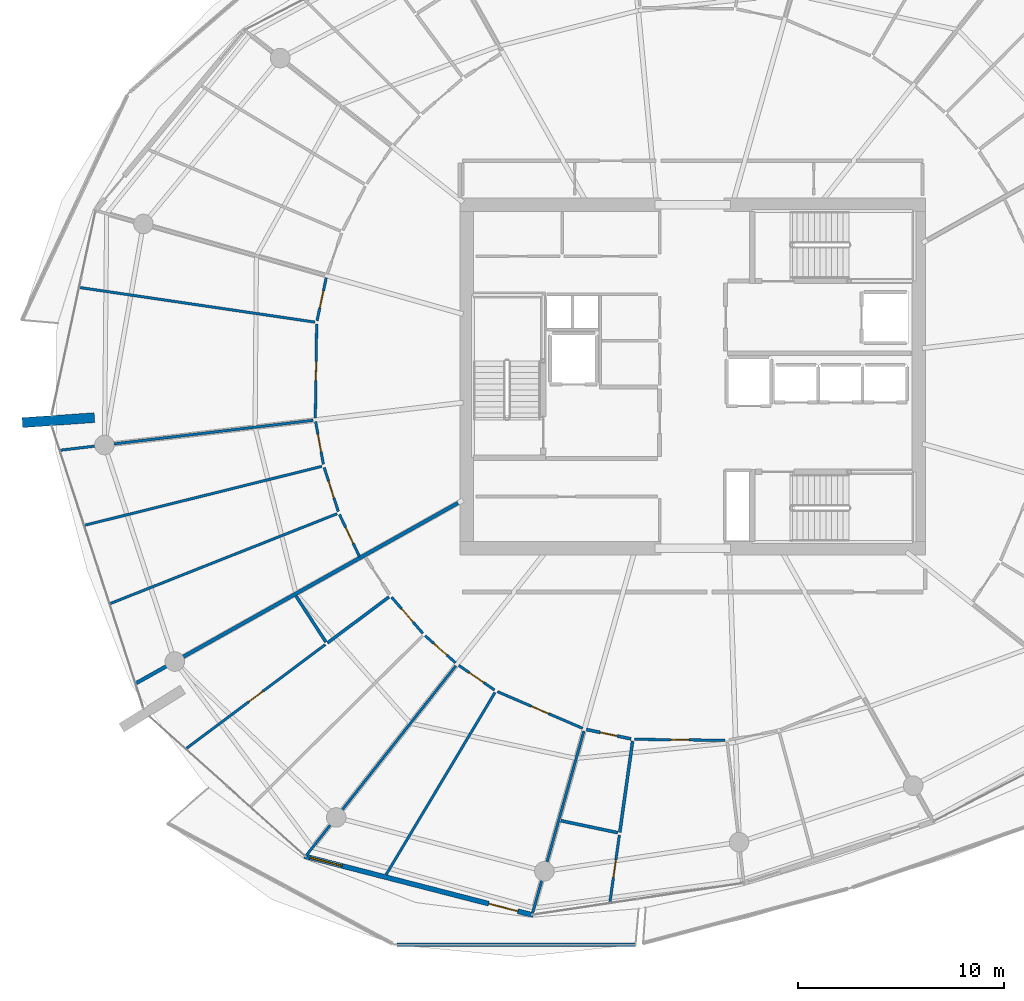
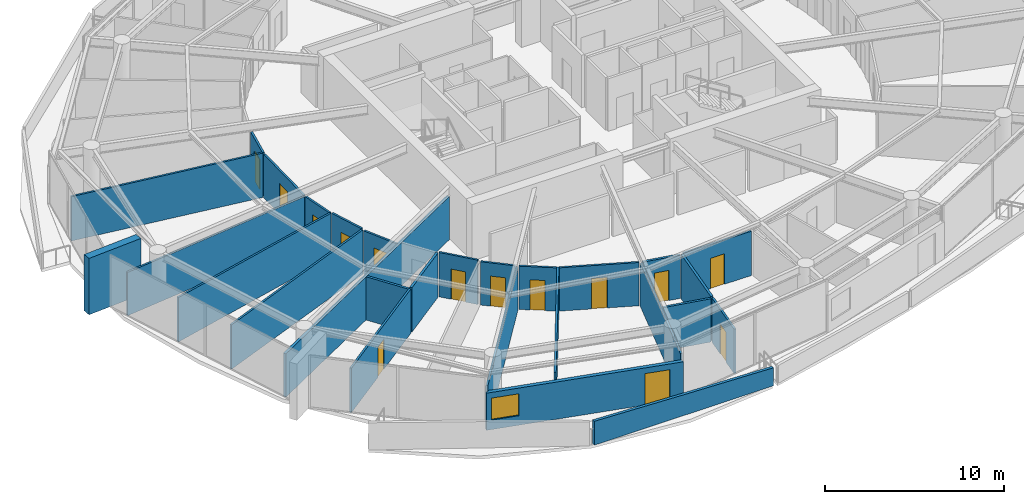
# One storey, part 18 of 31: 28 walls, 14 doors, 1 window, 15 openings.
"""IFC4 building model written with IfcOpenShell, lengths in metres."""

from ifc_helpers import new_model, si_unit, direction, frame, frame_2d, origin, place, context, subcontext, project, spatial, polyline, rectangle, outline, extrude, material, layer, layer_set, type_object, element, fill, save


model = new_model("IFC4")

# Units and contexts
model_context = context("Model", 3, precision=1e-05, world=origin(), true_north=direction((0.0, 1.0)))
body_context = subcontext(model_context, "Body", "Model", "MODEL_VIEW")
ifc_project = project(units=[si_unit("LENGTHUNIT", "METRE"), si_unit("AREAUNIT", "SQUARE_METRE"), si_unit("VOLUMEUNIT", "CUBIC_METRE"), si_unit("PLANEANGLEUNIT", "RADIAN"), si_unit("MASSUNIT", "GRAM", prefix="KILO")], contexts=[model_context])

# Site, building, storey
site_placement = place(None, origin())
site = spatial("IfcSite", under=ifc_project, at=site_placement, CompositionType="ELEMENT")
building_placement = place(site_placement, origin())
building = spatial("IfcBuilding", under=site, at=building_placement, Name="Kazma Halo Residences", CompositionType="ELEMENT")
storey_placement = place(building_placement, frame((0.0, 0.0, 248.25)))
storey = spatial("IfcBuildingStorey", under=building, at=storey_placement, Name="L62", CompositionType="ELEMENT", Elevation=248.25)

# Walls
ifc_material_1 = material(Name="White Concrete C50/60 Balustrade", Category="concrete")
ifc_layer_1 = layer(ifc_material_1, 0.179931640625)
ifc_layer_set_1 = layer_set([ifc_layer_1], Name="White Concrete C50/60 Balustrade")
wall_type_1 = type_object("IfcWallType", Name="WL-BAL-WAVE-180", PredefinedType="PARAPET", material=ifc_layer_set_1)
wall_1_placement = place(storey_placement, frame((34.086669921875, 14.4580078125, 0.0), z_axis=(0.0, 0.0, 1.0), x_axis=(0.999999919723, 0.000400691688, 0.0)))
element("IfcWall", 1, at=wall_1_placement, inside=storey, type_object=wall_type_1, Name="L62 white wave balustrade wall SW.2", PredefinedType="PARAPET", context=body_context, shape_type="SweptSolid", body=[
    extrude(outline(polyline([(0.0, 0.0), (11.57666015625, 0.0), (11.576904296875, 1.23291015625), (5.788330078125, 1.41796875), (0.0, 1.632080078125), (0.0, 0.0)])), frame((0.0, 0.08984375, 0.0), z_axis=(0.0, -1.0, 0.0), x_axis=(1.0, 0.0, 0.0)), (0.0, 0.0, 1.0), 0.179931640625),
])
ifc_material_2 = material(Name="Pale Concrete C60/75", Category="concrete")
ifc_layer_2 = layer(ifc_material_2, 0.47998046875)
ifc_layer_set_2 = layer_set([ifc_layer_2], Name="Pale Concrete C60/75")
wall_type_2 = type_object("IfcWallType", Name="WL-BLADE-480", PredefinedType="SOLIDWALL", material=ifc_layer_set_2)
wall_2_placement = place(storey_placement, frame((19.4375, 40.002685546875, 0.0), z_axis=(0.0, 0.0, 1.0), x_axis=(-0.997563824095, -0.069759707979, 0.0)))
element("IfcWall", 2, at=wall_2_placement, inside=storey, type_object=wall_type_2, Name="L62 pale concrete structural blade fin wall BW-02", PredefinedType="SOLIDWALL", context=body_context, shape_type="SweptSolid", body=[
    extrude(rectangle(XDim=3.499755859375, YDim=0.47998046875, at=frame_2d((1.75, 0.0))), origin(), (0.0, 0.0, 1.0), 3.85009765625),
])
ifc_material_3 = material(Name="Acoustic Twin-Stud Gypsum")
ifc_layer_3 = layer(ifc_material_3, 0.179931640625)
ifc_layer_set_3 = layer_set([ifc_layer_3], Name="Acoustic Twin-Stud Gypsum")
wall_type_3 = type_object("IfcWallType", Name="WL-DEM-180", PredefinedType="PARTITIONING", material=ifc_layer_set_3)
wall_3_placement = place(storey_placement, frame((37.053955078125, 35.8701171875, 0.0), z_axis=(0.0, 0.0, 1.0), x_axis=(-0.872490186067, -0.488631635506, 0.0)))
element("IfcWall", 3, at=wall_3_placement, inside=storey, type_object=wall_type_3, Name="L62 apartment demising radial wall 08", PredefinedType="PARTITIONING", context=body_context, shape_type="SweptSolid", body=[
    extrude(rectangle(XDim=17.88427734375, YDim=0.179931640625, at=frame_2d((8.942138671875, 0.0))), origin(), (0.0, 0.0, 1.0), 2.95703125),
])

# Wall, openings, door, window
ifc_material_4 = material(Name="Insulated Pale-Metal Composite Wall")
ifc_layer_4 = layer(ifc_material_4, 0.239990234375)
ifc_layer_set_4 = layer_set([ifc_layer_4], Name="Insulated Pale-Metal Composite Wall")
wall_type_4 = type_object("IfcWallType", Name="WL-EXT-HOST-240", PredefinedType="SOLIDWALL", material=ifc_layer_set_4)
wall_4_placement = place(storey_placement, frame((29.613525390625, 18.7509765625, 0.0), z_axis=(0.0, 0.0, 1.0), x_axis=(0.968343758421, -0.249620442927, 0.0)))
wall_4 = element("IfcWall", 4, at=wall_4_placement, inside=storey, type_object=wall_type_4, Name="L62 exterior terrace-access wall B10", PredefinedType="SOLIDWALL", context=body_context, shape_type="SweptSolid", body=[
    extrude(rectangle(XDim=11.438232421875, YDim=0.239990234375, at=frame_2d((5.71923828125, 0.0))), origin(), (0.0, 0.0, 1.0), 2.5400390625),
])
opening_1_placement = place(wall_4_placement, frame((9.21826171875, 0.0, 0.0)))
opening_1 = element("IfcOpeningElement", 5, at=opening_1_placement, cuts=wall_4, Name="Opening DTR-1600", PredefinedType="OPENING", context=body_context, shape_type="SweptSolid", body=[
    extrude(rectangle(XDim=1.449951171875, YDim=2.14990234375, at=frame_2d((0.72509765625, 1.074951171875))), frame((0.0, 0.1298828125, 0.0), z_axis=(0.0, -1.0, 0.0), x_axis=(1.0, 0.0, 0.0)), (0.0, 0.0, 1.0), 0.260009765625),
])
opening_2_placement = place(wall_4_placement, frame((0.280029296875, 0.0, 0.64990234375)))
opening_2 = element("IfcOpeningElement", 6, at=opening_2_placement, cuts=wall_4, Name="Opening W-1800", PredefinedType="OPENING", context=body_context, shape_type="SweptSolid", body=[
    extrude(rectangle(XDim=1.60009765625, YDim=1.5, at=frame_2d((0.800048828125, 0.75))), frame((0.0, 0.1298828125, 0.0), z_axis=(0.0, -1.0, 0.0), x_axis=(1.0, 0.0, 0.0)), (0.0, 0.0, 1.0), 0.260009765625),
])
ifc_material_5 = material(Name="Aluminium AW-6063 T6 Double-Glazed Terrace Door", Category="aluminium")
door_type_1 = type_object("IfcDoorType", Name="DR-EXT-TERR-1600", OperationType="NOTDEFINED", PredefinedType="DOOR", material=ifc_material_5)
door_1_placement = place(opening_1_placement, origin())
door_1 = element("IfcDoor", 7, at=door_1_placement, inside=storey, type_object=door_type_1, Name="L62 B10 balcony terrace door", OperationType="DOUBLE_DOOR_SLIDING", OverallHeight=2.14990234375, OverallWidth=1.449951171875, PredefinedType="DOOR", context=body_context, shape_type="SweptSolid", body=[
    extrude(rectangle(XDim=1.449951171875, YDim=2.14990234375, at=frame_2d((0.72509765625, 1.074951171875))), frame((0.0, 0.02490234375, 0.0), z_axis=(0.0, -1.0, 0.0), x_axis=(1.0, 0.0, 0.0)), (0.0, 0.0, 1.0), 0.050048828125),
])
fill(opening_1, door_1)
ifc_material_6 = material(Name="Clear Triple-Silver Low-E Glass in Aluminium AW-6063 T6 Frame", Category="aluminium")
window_type = type_object("IfcWindowType", Name="WIN-RES-1800", PartitioningType="DOUBLE_PANEL_VERTICAL", PredefinedType="WINDOW", material=ifc_material_6)
window_placement = place(opening_2_placement, origin())
window = element("IfcWindow", 8, at=window_placement, inside=storey, type_object=window_type, Name="L62 B10 apartment window", OverallHeight=1.5, OverallWidth=1.60009765625, PartitioningType="SINGLE_PANEL", PredefinedType="WINDOW", context=body_context, shape_type="SweptSolid", body=[
    extrude(rectangle(XDim=1.60009765625, YDim=1.5, at=frame_2d((0.800048828125, 0.75))), frame((0.0, 0.030029296875, 0.0), z_axis=(0.0, -1.0, 0.0), x_axis=(1.0, 0.0, 0.0)), (0.0, 0.0, 1.0), 0.06005859375),
])
fill(opening_2, window)

# Wall
ifc_material_7 = material(Name="Gypsum Plasterboard Partition")
ifc_layer_5 = layer(ifc_material_7, 0.125)
ifc_layer_set_5 = layer_set([ifc_layer_5], Name="Gypsum Plasterboard Partition")
wall_type_5 = type_object("IfcWallType", Name="WL-PART-125", PredefinedType="PARTITIONING", material=ifc_layer_set_5)
wall_5_placement = place(storey_placement, frame((30.115478515625, 44.63134765625, 0.0), z_axis=(0.0, 0.0, 1.0), x_axis=(-0.989347020715, 0.145576346298, 0.0)))
element("IfcWall", 9, at=wall_5_placement, inside=storey, type_object=wall_type_5, Name="L62 Apartment 1 mid-bay wall 6", PredefinedType="PARTITIONING", context=body_context, shape_type="SweptSolid", body=[
    extrude(rectangle(XDim=11.521484375, YDim=0.125, at=frame_2d((5.7607421875, 0.0))), origin(), (0.0, 0.0, 1.0), 3.030029296875),
])

# Wall, opening, door
wall_6_placement = place(storey_placement, frame((30.66748046875, 46.78466796875, 0.0), z_axis=(0.0, 0.0, 1.0), x_axis=(-0.209005902588, -0.977914379014, 0.0)))
wall_6 = element("IfcWall", 10, at=wall_6_placement, inside=storey, type_object=wall_type_5, Name="L62 Apartment 1 Secondary Wine Pantry Store hall wall", PredefinedType="PARTITIONING", context=body_context, shape_type="SweptSolid", body=[
    extrude(rectangle(XDim=2.13525390625, YDim=0.125, at=frame_2d((1.067626953125, 0.0))), origin(), (0.0, 0.0, 1.0), 2.95703125),
])
opening_3_placement = place(wall_6_placement, frame((0.642578125, 0.0, 0.0)))
opening_3 = element("IfcOpeningElement", 11, at=opening_3_placement, cuts=wall_6, Name="Opening DB-900", PredefinedType="OPENING", context=body_context, shape_type="SweptSolid", body=[
    extrude(rectangle(XDim=0.85009765625, YDim=2.06005859375, at=frame_2d((0.425048828125, 1.030029296875))), frame((0.0, 0.072509765625, 0.0), z_axis=(0.0, -1.0, 0.0), x_axis=(1.0, 0.0, 0.0)), (0.0, 0.0, 1.0), 0.14501953125),
])
ifc_material_8 = material(Name="Moisture-Sealed Timber Leaf", Category="wood")
door_type_2 = type_object("IfcDoorType", Name="DR-BTH-900", OperationType="NOTDEFINED", PredefinedType="DOOR", material=ifc_material_8)
door_2_placement = place(opening_3_placement, origin())
door_2 = element("IfcDoor", 12, at=door_2_placement, inside=storey, type_object=door_type_2, Name="L62 Apartment 1 Secondary Wine Pantry Store door", OperationType="SINGLE_SWING_LEFT", OverallHeight=2.06005859375, OverallWidth=0.85009765625, PredefinedType="DOOR", context=body_context, shape_type="SweptSolid", body=[
    extrude(rectangle(XDim=0.85009765625, YDim=2.06005859375, at=frame_2d((0.425048828125, 1.030029296875))), frame((0.0, 0.02490234375, 0.0), z_axis=(0.0, -1.0, 0.0), x_axis=(1.0, 0.0, 0.0)), (0.0, 0.0, 1.0), 0.050048828125),
])
fill(opening_3, door_2)

wall_7_placement = place(storey_placement, frame((30.20361328125, 44.538330078125, 0.0), z_axis=(0.0, 0.0, 1.0), x_axis=(-0.014156354672, -0.999899793791, 0.0)))
wall_7 = element("IfcWall", 13, at=wall_7_placement, inside=storey, type_object=wall_type_5, Name="L62 Apartment 1 East Formal Dining Room hall wall", PredefinedType="PARTITIONING", context=body_context, shape_type="SweptSolid", body=[
    extrude(rectangle(XDim=4.552978515625, YDim=0.125, at=frame_2d((2.2763671875, 0.0))), origin(), (0.0, 0.0, 1.0), 2.95703125),
])
opening_4_placement = place(wall_7_placement, frame((1.826416015625, 0.0, 0.0)))
opening_4 = element("IfcOpeningElement", 14, at=opening_4_placement, cuts=wall_7, Name="Opening DI-950", PredefinedType="OPENING", context=body_context, shape_type="SweptSolid", body=[
    extrude(rectangle(XDim=0.89990234375, YDim=2.080078125, at=frame_2d((0.449951171875, 1.0400390625))), frame((0.0, 0.072509765625, 0.0), z_axis=(0.0, -1.0, 0.0), x_axis=(1.0, 0.0, 0.0)), (0.0, 0.0, 1.0), 0.14501953125),
])
ifc_material_9 = material(Name="Timber Veneer Flush Leaf", Category="wood")
door_type_3 = type_object("IfcDoorType", Name="DR-INT-950", OperationType="NOTDEFINED", PredefinedType="DOOR", material=ifc_material_9)
door_3_placement = place(opening_4_placement, origin())
door_3 = element("IfcDoor", 15, at=door_3_placement, inside=storey, type_object=door_type_3, Name="L62 Apartment 1 East Formal Dining Room door", OperationType="SINGLE_SWING_RIGHT", OverallHeight=2.080078125, OverallWidth=0.89990234375, PredefinedType="DOOR", context=body_context, shape_type="SweptSolid", body=[
    extrude(rectangle(XDim=0.89990234375, YDim=2.080078125, at=frame_2d((0.449951171875, 1.0400390625))), frame((0.0, 0.02490234375, 0.0), z_axis=(0.0, -1.0, 0.0), x_axis=(1.0, 0.0, 0.0)), (0.0, 0.0, 1.0), 0.050048828125),
])
fill(opening_4, door_3)

# Walls
wall_8_placement = place(storey_placement, frame((30.038330078125, 39.8740234375, 0.0), z_axis=(0.0, 0.0, 1.0), x_axis=(-0.993068810962, -0.117534406428, 0.0)))
element("IfcWall", 16, at=wall_8_placement, inside=storey, type_object=wall_type_5, Name="L62 Apartment 1 radial partition 7", PredefinedType="PARTITIONING", context=body_context, shape_type="SweptSolid", body=[
    extrude(rectangle(XDim=12.342529296875, YDim=0.125, at=frame_2d((6.17138671875, 0.0))), origin(), (0.0, 0.0, 1.0), 2.95703125),
])
wall_9_placement = place(storey_placement, frame((30.456298828125, 37.64208984375, 0.0), z_axis=(0.0, 0.0, 1.0), x_axis=(-0.970505215381, -0.241080125513, 0.0)))
element("IfcWall", 17, at=wall_9_placement, inside=storey, type_object=wall_type_5, Name="L62 Apartment 1 bay wall 1 7", PredefinedType="PARTITIONING", context=body_context, shape_type="SweptSolid", body=[
    extrude(rectangle(XDim=11.842529296875, YDim=0.125, at=frame_2d((5.92138671875, 0.0))), origin(), (0.0, 0.0, 1.0), 3.030029296875),
])
wall_10_placement = place(storey_placement, frame((31.1923828125, 35.345458984375, 0.0), z_axis=(0.0, 0.0, 1.0), x_axis=(-0.929773642051, -0.368131735317, 0.0)))
element("IfcWall", 18, at=wall_10_placement, inside=storey, type_object=wall_type_5, Name="L62 Apartment 1 bay wall 2 7", PredefinedType="PARTITIONING", context=body_context, shape_type="SweptSolid", body=[
    extrude(rectangle(XDim=11.82666015625, YDim=0.125, at=frame_2d((5.913330078125, 0.0))), origin(), (0.0, 0.0, 1.0), 3.030029296875),
])

# Wall, opening, door
wall_11_placement = place(storey_placement, frame((30.152099609375, 39.80712890625, 0.0), z_axis=(0.0, 0.0, 1.0), x_axis=(0.179601937348, -0.983739367973, 0.0)))
wall_11 = element("IfcWall", 19, at=wall_11_placement, inside=storey, type_object=wall_type_5, Name="L62 Apartment 1 West Master Bedroom hall wall", PredefinedType="PARTITIONING", context=body_context, shape_type="SweptSolid", body=[
    extrude(rectangle(XDim=2.098876953125, YDim=0.125, at=frame_2d((1.04931640625, 0.0))), origin(), (0.0, 0.0, 1.0), 2.95703125),
])
opening_5_placement = place(wall_11_placement, frame((0.62451171875, 0.0, 0.0)))
opening_5 = element("IfcOpeningElement", 20, at=opening_5_placement, cuts=wall_11, Name="Opening DB-900", PredefinedType="OPENING", context=body_context, shape_type="SweptSolid", body=[
    extrude(rectangle(XDim=0.85009765625, YDim=2.06005859375, at=frame_2d((0.425048828125, 1.030029296875))), frame((0.0, 0.072509765625, 0.0), z_axis=(0.0, -1.0, 0.0), x_axis=(1.0, 0.0, 0.0)), (0.0, 0.0, 1.0), 0.14501953125),
])
door_4_placement = place(opening_5_placement, origin())
door_4 = element("IfcDoor", 21, at=door_4_placement, inside=storey, type_object=door_type_2, Name="L62 Apartment 1 West Master Bedroom door", OperationType="SINGLE_SWING_LEFT", OverallHeight=2.06005859375, OverallWidth=0.85009765625, PredefinedType="DOOR", context=body_context, shape_type="SweptSolid", body=[
    extrude(rectangle(XDim=0.85009765625, YDim=2.06005859375, at=frame_2d((0.425048828125, 1.030029296875))), frame((0.0, 0.02490234375, 0.0), z_axis=(0.0, -1.0, 0.0), x_axis=(1.0, 0.0, 0.0)), (0.0, 0.0, 1.0), 0.050048828125),
])
fill(opening_5, door_4)

wall_12_placement = place(storey_placement, frame((30.56787109375, 37.587646484375, 0.0), z_axis=(0.0, 0.0, 1.0), x_axis=(0.305285840617, -0.952260760254, 0.0)))
wall_12 = element("IfcWall", 22, at=wall_12_placement, inside=storey, type_object=wall_type_5, Name="L62 Apartment 1 North Dressing Wardrobe hall wall", PredefinedType="PARTITIONING", context=body_context, shape_type="SweptSolid", body=[
    extrude(rectangle(XDim=2.239990234375, YDim=0.125, at=frame_2d((1.1201171875, 0.0))), origin(), (0.0, 0.0, 1.0), 3.030029296875),
])
opening_6_placement = place(wall_12_placement, frame((0.69482421875, 0.0, 0.0)))
opening_6 = element("IfcOpeningElement", 23, at=opening_6_placement, cuts=wall_12, Name="Opening DB-900", PredefinedType="OPENING", context=body_context, shape_type="SweptSolid", body=[
    extrude(rectangle(XDim=0.85009765625, YDim=2.06005859375, at=frame_2d((0.425048828125, 1.030029296875))), frame((0.0, 0.072509765625, 0.0), z_axis=(0.0, -1.0, 0.0), x_axis=(1.0, 0.0, 0.0)), (0.0, 0.0, 1.0), 0.14501953125),
])
door_5_placement = place(opening_6_placement, origin())
door_5 = element("IfcDoor", 24, at=door_5_placement, inside=storey, type_object=door_type_2, Name="L62 Apartment 1 North Dressing Wardrobe door", OperationType="SINGLE_SWING_RIGHT", OverallHeight=2.06005859375, OverallWidth=0.85009765625, PredefinedType="DOOR", context=body_context, shape_type="SweptSolid", body=[
    extrude(rectangle(XDim=0.85009765625, YDim=2.06005859375, at=frame_2d((0.425048828125, 1.030029296875))), frame((0.0, 0.02490234375, 0.0), z_axis=(0.0, -1.0, 0.0), x_axis=(1.0, 0.0, 0.0)), (0.0, 0.0, 1.0), 0.050048828125),
])
fill(opening_6, door_5)

wall_13_placement = place(storey_placement, frame((31.310302734375, 35.30615234375, 0.0), z_axis=(0.0, 0.0, 1.0), x_axis=(0.429468098594, -0.903082029657, 0.0)))
wall_13 = element("IfcWall", 25, at=wall_13_placement, inside=storey, type_object=wall_type_5, Name="L62 Apartment 1 South Master Bedroom hall wall", PredefinedType="PARTITIONING", context=body_context, shape_type="SweptSolid", body=[
    extrude(rectangle(XDim=2.23974609375, YDim=0.125, at=frame_2d((1.119873046875, 0.0))), origin(), (0.0, 0.0, 1.0), 2.95703125),
])
opening_7_placement = place(wall_13_placement, frame((0.69482421875, 0.0, 0.0)))
opening_7 = element("IfcOpeningElement", 26, at=opening_7_placement, cuts=wall_13, Name="Opening DB-900", PredefinedType="OPENING", context=body_context, shape_type="SweptSolid", body=[
    extrude(rectangle(XDim=0.85009765625, YDim=2.06005859375, at=frame_2d((0.425048828125, 1.030029296875))), frame((0.0, 0.072509765625, 0.0), z_axis=(0.0, -1.0, 0.0), x_axis=(1.0, 0.0, 0.0)), (0.0, 0.0, 1.0), 0.14501953125),
])
door_6_placement = place(opening_7_placement, origin())
door_6 = element("IfcDoor", 27, at=door_6_placement, inside=storey, type_object=door_type_2, Name="L62 Apartment 1 South Master Bedroom door", OperationType="SINGLE_SWING_LEFT", OverallHeight=2.06005859375, OverallWidth=0.85009765625, PredefinedType="DOOR", context=body_context, shape_type="SweptSolid", body=[
    extrude(rectangle(XDim=0.85009765625, YDim=2.06005859375, at=frame_2d((0.425048828125, 1.030029296875))), frame((0.0, 0.02490234375, 0.0), z_axis=(0.0, -1.0, 0.0), x_axis=(1.0, 0.0, 0.0)), (0.0, 0.0, 1.0), 0.050048828125),
])
fill(opening_7, door_6)

wall_14_placement = place(storey_placement, frame((30.623779296875, 29.0068359375, 0.0), z_axis=(0.0, 0.0, 1.0), x_axis=(-0.800861586428, -0.598849496437, 0.0)))
wall_14 = element("IfcWall", 28, at=wall_14_placement, inside=storey, type_object=wall_type_5, Name="L62 Apartment 2 Utility Laundry Room partition wall", PredefinedType="PARTITIONING", context=body_context, shape_type="SweptSolid", body=[
    extrude(rectangle(XDim=8.4248046875, YDim=0.125, at=frame_2d((4.21240234375, 0.0))), origin(), (0.0, 0.0, 1.0), 3.030029296875),
])
opening_8_placement = place(wall_14_placement, frame((3.787353515625, 0.0, 0.0)))
opening_8 = element("IfcOpeningElement", 29, at=opening_8_placement, cuts=wall_14, Name="Opening DB-900", PredefinedType="OPENING", context=body_context, shape_type="SweptSolid", body=[
    extrude(rectangle(XDim=0.85009765625, YDim=2.06005859375, at=frame_2d((0.425048828125, 1.030029296875))), frame((0.0, 0.072509765625, 0.0), z_axis=(0.0, -1.0, 0.0), x_axis=(1.0, 0.0, 0.0)), (0.0, 0.0, 1.0), 0.14501953125),
])
door_7_placement = place(opening_8_placement, origin())
door_7 = element("IfcDoor", 30, at=door_7_placement, inside=storey, type_object=door_type_2, Name="L62 Apartment 2 Utility Laundry Room door", OperationType="SINGLE_SWING_RIGHT", OverallHeight=2.06005859375, OverallWidth=0.85009765625, PredefinedType="DOOR", context=body_context, shape_type="SweptSolid", body=[
    extrude(rectangle(XDim=0.85009765625, YDim=2.06005859375, at=frame_2d((0.425048828125, 1.030029296875))), frame((0.0, 0.02490234375, 0.0), z_axis=(0.0, -1.0, 0.0), x_axis=(1.0, 0.0, 0.0)), (0.0, 0.0, 1.0), 0.050048828125),
])
fill(opening_8, door_7)

wall_15_placement = place(storey_placement, frame((33.837890625, 31.298095703125, 0.0), z_axis=(0.0, 0.0, 1.0), x_axis=(0.653278423857, -0.757117758954, 0.0)))
wall_15 = element("IfcWall", 31, at=wall_15_placement, inside=storey, type_object=wall_type_5, Name="L62 Apartment 2 Gourmet Kitchen hall wall", PredefinedType="PARTITIONING", context=body_context, shape_type="SweptSolid", body=[
    extrude(rectangle(XDim=2.308837890625, YDim=0.125, at=frame_2d((1.154296875, 0.0))), origin(), (0.0, 0.0, 1.0), 3.030029296875),
])
opening_9_placement = place(wall_15_placement, frame((0.7294921875, 0.0, 0.0)))
opening_9 = element("IfcOpeningElement", 32, at=opening_9_placement, cuts=wall_15, Name="Opening DB-900", PredefinedType="OPENING", context=body_context, shape_type="SweptSolid", body=[
    extrude(rectangle(XDim=0.85009765625, YDim=2.06005859375, at=frame_2d((0.425048828125, 1.030029296875))), frame((0.0, 0.072509765625, 0.0), z_axis=(0.0, -1.0, 0.0), x_axis=(1.0, 0.0, 0.0)), (0.0, 0.0, 1.0), 0.14501953125),
])
door_8_placement = place(opening_9_placement, origin())
door_8 = element("IfcDoor", 33, at=door_8_placement, inside=storey, type_object=door_type_2, Name="L62 Apartment 2 Gourmet Kitchen door", OperationType="SINGLE_SWING_LEFT", OverallHeight=2.06005859375, OverallWidth=0.85009765625, PredefinedType="DOOR", context=body_context, shape_type="SweptSolid", body=[
    extrude(rectangle(XDim=0.85009765625, YDim=2.06005859375, at=frame_2d((0.425048828125, 1.030029296875))), frame((0.0, 0.02490234375, 0.0), z_axis=(0.0, -1.0, 0.0), x_axis=(1.0, 0.0, 0.0)), (0.0, 0.0, 1.0), 0.050048828125),
])
fill(opening_9, door_8)

wall_16_placement = place(storey_placement, frame((35.458251953125, 29.436279296875, 0.0), z_axis=(0.0, 0.0, 1.0), x_axis=(0.746255603185, -0.665659503586, 0.0)))
wall_16 = element("IfcWall", 34, at=wall_16_placement, inside=storey, type_object=wall_type_5, Name="L62 Apartment 2 Primary Bedroom hall wall", PredefinedType="PARTITIONING", context=body_context, shape_type="SweptSolid", body=[
    extrude(rectangle(XDim=1.97509765625, YDim=0.125, at=frame_2d((0.987548828125, 0.0))), origin(), (0.0, 0.0, 1.0), 2.95703125),
])
opening_10_placement = place(wall_16_placement, frame((0.5625, 0.0, 0.0)))
opening_10 = element("IfcOpeningElement", 35, at=opening_10_placement, cuts=wall_16, Name="Opening DB-900", PredefinedType="OPENING", context=body_context, shape_type="SweptSolid", body=[
    extrude(rectangle(XDim=0.85009765625, YDim=2.06005859375, at=frame_2d((0.425048828125, 1.030029296875))), frame((0.0, 0.072509765625, 0.0), z_axis=(0.0, -1.0, 0.0), x_axis=(1.0, 0.0, 0.0)), (0.0, 0.0, 1.0), 0.14501953125),
])
door_9_placement = place(opening_10_placement, origin())
door_9 = element("IfcDoor", 36, at=door_9_placement, inside=storey, type_object=door_type_2, Name="L62 Apartment 2 Primary Bedroom door", OperationType="SINGLE_SWING_RIGHT", OverallHeight=2.06005859375, OverallWidth=0.85009765625, PredefinedType="DOOR", context=body_context, shape_type="SweptSolid", body=[
    extrude(rectangle(XDim=0.85009765625, YDim=2.06005859375, at=frame_2d((0.425048828125, 1.030029296875))), frame((0.0, 0.02490234375, 0.0), z_axis=(0.0, -1.0, 0.0), x_axis=(1.0, 0.0, 0.0)), (0.0, 0.0, 1.0), 0.050048828125),
])
fill(opening_10, door_9)

# Walls
wall_17_placement = place(storey_placement, frame((36.94482421875, 27.9765625, 0.0), z_axis=(0.0, 0.0, 1.0), x_axis=(-0.619096573209, -0.785314862358, 0.0)))
element("IfcWall", 37, at=wall_17_placement, inside=storey, type_object=wall_type_5, Name="L62 Apartment 2 radial partition 9", PredefinedType="PARTITIONING", context=body_context, shape_type="SweptSolid", body=[
    extrude(rectangle(XDim=11.738525390625, YDim=0.125, at=frame_2d((5.869140625, 0.0))), origin(), (0.0, 0.0, 1.0), 2.95703125),
])
wall_18_placement = place(storey_placement, frame((38.8427734375, 26.681396484375, 0.0), z_axis=(0.0, 0.0, 1.0), x_axis=(-0.513080899873, -0.858340253154, 0.0)))
element("IfcWall", 38, at=wall_18_placement, inside=storey, type_object=wall_type_5, Name="L62 Apartment 2 mid-bay wall 9", PredefinedType="PARTITIONING", context=body_context, shape_type="SweptSolid", body=[
    extrude(rectangle(XDim=10.2822265625, YDim=0.125, at=frame_2d((5.14111328125, 0.0))), origin(), (0.0, 0.0, 1.0), 3.030029296875),
])

# Wall, opening, door
wall_19_placement = place(storey_placement, frame((37.089111328125, 27.998291015625, 0.0), z_axis=(0.0, 0.0, 1.0), x_axis=(0.823534084839, -0.567266790063, 0.0)))
wall_19 = element("IfcWall", 39, at=wall_19_placement, inside=storey, type_object=wall_type_5, Name="L62 Apartment 2 East Wine Pantry Store hall wall", PredefinedType="PARTITIONING", context=body_context, shape_type="SweptSolid", body=[
    extrude(rectangle(XDim=2.10546875, YDim=0.125, at=frame_2d((1.052734375, 0.0))), origin(), (0.0, 0.0, 1.0), 2.95703125),
])
opening_11_placement = place(wall_19_placement, frame((0.627685546875, 0.0, 0.0)))
opening_11 = element("IfcOpeningElement", 40, at=opening_11_placement, cuts=wall_19, Name="Opening DB-900", PredefinedType="OPENING", context=body_context, shape_type="SweptSolid", body=[
    extrude(rectangle(XDim=0.85009765625, YDim=2.06005859375, at=frame_2d((0.425048828125, 1.030029296875))), frame((0.0, 0.072509765625, 0.0), z_axis=(0.0, -1.0, 0.0), x_axis=(1.0, 0.0, 0.0)), (0.0, 0.0, 1.0), 0.14501953125),
])
door_10_placement = place(opening_11_placement, origin())
door_10 = element("IfcDoor", 41, at=door_10_placement, inside=storey, type_object=door_type_2, Name="L62 Apartment 2 East Wine Pantry Store door", OperationType="SINGLE_SWING_RIGHT", OverallHeight=2.06005859375, OverallWidth=0.85009765625, PredefinedType="DOOR", context=body_context, shape_type="SweptSolid", body=[
    extrude(rectangle(XDim=0.85009765625, YDim=2.06005859375, at=frame_2d((0.425048828125, 1.030029296875))), frame((0.0, 0.02490234375, 0.0), z_axis=(0.0, -1.0, 0.0), x_axis=(1.0, 0.0, 0.0)), (0.0, 0.0, 1.0), 0.050048828125),
])
fill(opening_11, door_10)

wall_20_placement = place(storey_placement, frame((38.96240234375, 26.726806640625, 0.0), z_axis=(0.0, 0.0, 1.0), x_axis=(0.918384361194, -0.395689480671, 0.0)))
wall_20 = element("IfcWall", 42, at=wall_20_placement, inside=storey, type_object=wall_type_5, Name="L62 Apartment 2 West Formal Dining Room hall wall", PredefinedType="PARTITIONING", context=body_context, shape_type="SweptSolid", body=[
    extrude(rectangle(XDim=4.492431640625, YDim=0.125, at=frame_2d((2.24609375, 0.0))), origin(), (0.0, 0.0, 1.0), 2.95703125),
])
opening_12_placement = place(wall_20_placement, frame((1.796142578125, 0.0, 0.0)))
opening_12 = element("IfcOpeningElement", 43, at=opening_12_placement, cuts=wall_20, Name="Opening DI-950", PredefinedType="OPENING", context=body_context, shape_type="SweptSolid", body=[
    extrude(rectangle(XDim=0.89990234375, YDim=2.080078125, at=frame_2d((0.449951171875, 1.0400390625))), frame((0.0, 0.072509765625, 0.0), z_axis=(0.0, -1.0, 0.0), x_axis=(1.0, 0.0, 0.0)), (0.0, 0.0, 1.0), 0.14501953125),
])
door_11_placement = place(opening_12_placement, origin())
door_11 = element("IfcDoor", 44, at=door_11_placement, inside=storey, type_object=door_type_3, Name="L62 Apartment 2 West Formal Dining Room door", OperationType="SINGLE_SWING_LEFT", OverallHeight=2.080078125, OverallWidth=0.89990234375, PredefinedType="DOOR", context=body_context, shape_type="SweptSolid", body=[
    extrude(rectangle(XDim=0.89990234375, YDim=2.080078125, at=frame_2d((0.449951171875, 1.0400390625))), frame((0.0, 0.02490234375, 0.0), z_axis=(0.0, -1.0, 0.0), x_axis=(1.0, 0.0, 0.0)), (0.0, 0.0, 1.0), 0.050048828125),
])
fill(opening_12, door_11)

# Wall
wall_21_placement = place(storey_placement, frame((43.15283203125, 24.8134765625, 0.0), z_axis=(0.0, 0.0, 1.0), x_axis=(-0.271434117828, -0.96245702225, 0.0)))
element("IfcWall", 45, at=wall_21_placement, inside=storey, type_object=wall_type_5, Name="L62 Apartment 2 radial partition 10", PredefinedType="PARTITIONING", context=body_context, shape_type="SweptSolid", body=[
    extrude(rectangle(XDim=9.127685546875, YDim=0.125, at=frame_2d((4.56396484375, 0.0))), origin(), (0.0, 0.0, 1.0), 2.95703125),
])

# Wall, opening, door
wall_22_placement = place(storey_placement, frame((44.87353515625, 19.781982421875, 0.0), z_axis=(0.0, 0.0, 1.0), x_axis=(-0.139348495216, -0.990243402846, 0.0)))
wall_22 = element("IfcWall", 46, at=wall_22_placement, inside=storey, type_object=wall_type_5, Name="L62 Apartment 2 South Walk-In Wardrobe partition wall", PredefinedType="PARTITIONING", context=body_context, shape_type="SweptSolid", body=[
    extrude(rectangle(XDim=3.314697265625, YDim=0.125, at=frame_2d((1.6572265625, 0.0))), origin(), (0.0, 0.0, 1.0), 3.030029296875),
])
opening_13_placement = place(wall_22_placement, frame((1.232421875, 0.0, 0.0)))
opening_13 = element("IfcOpeningElement", 47, at=opening_13_placement, cuts=wall_22, Name="Opening DB-900", PredefinedType="OPENING", context=body_context, shape_type="SweptSolid", body=[
    extrude(rectangle(XDim=0.85009765625, YDim=2.06005859375, at=frame_2d((0.425048828125, 1.030029296875))), frame((0.0, 0.072509765625, 0.0), z_axis=(0.0, -1.0, 0.0), x_axis=(1.0, 0.0, 0.0)), (0.0, 0.0, 1.0), 0.14501953125),
])
door_12_placement = place(opening_13_placement, origin())
door_12 = element("IfcDoor", 48, at=door_12_placement, inside=storey, type_object=door_type_2, Name="L62 Apartment 2 South Walk-In Wardrobe door", OperationType="SINGLE_SWING_RIGHT", OverallHeight=2.06005859375, OverallWidth=0.85009765625, PredefinedType="DOOR", context=body_context, shape_type="SweptSolid", body=[
    extrude(rectangle(XDim=0.85009765625, YDim=2.06005859375, at=frame_2d((0.425048828125, 1.030029296875))), frame((0.0, 0.02490234375, 0.0), z_axis=(0.0, -1.0, 0.0), x_axis=(1.0, 0.0, 0.0)), (0.0, 0.0, 1.0), 0.050048828125),
])
fill(opening_13, door_12)

wall_23_placement = place(storey_placement, frame((45.615478515625, 24.415283203125, 0.0), z_axis=(0.0, 0.0, 1.0), x_axis=(0.999939484605, -0.011001233021, 0.0)))
wall_23 = element("IfcWall", 49, at=wall_23_placement, inside=storey, type_object=wall_type_5, Name="L62 Apartment 2 Inner Master Bedroom hall wall", PredefinedType="PARTITIONING", context=body_context, shape_type="SweptSolid", body=[
    extrude(rectangle(XDim=4.371826171875, YDim=0.125, at=frame_2d((2.18603515625, 0.0))), origin(), (0.0, 0.0, 1.0), 3.030029296875),
])
opening_14_placement = place(wall_23_placement, frame((1.73583984375, 0.0, 0.0)))
opening_14 = element("IfcOpeningElement", 50, at=opening_14_placement, cuts=wall_23, Name="Opening DI-950", PredefinedType="OPENING", context=body_context, shape_type="SweptSolid", body=[
    extrude(rectangle(XDim=0.89990234375, YDim=2.080078125, at=frame_2d((0.449951171875, 1.0400390625))), frame((0.0, 0.072509765625, 0.0), z_axis=(0.0, -1.0, 0.0), x_axis=(1.0, 0.0, 0.0)), (0.0, 0.0, 1.0), 0.14501953125),
])
door_13_placement = place(opening_14_placement, origin())
door_13 = element("IfcDoor", 51, at=door_13_placement, inside=storey, type_object=door_type_3, Name="L62 Apartment 2 Inner Master Bedroom door", OperationType="SINGLE_SWING_LEFT", OverallHeight=2.080078125, OverallWidth=0.89990234375, PredefinedType="DOOR", context=body_context, shape_type="SweptSolid", body=[
    extrude(rectangle(XDim=0.89990234375, YDim=2.080078125, at=frame_2d((0.449951171875, 1.0400390625))), frame((0.0, 0.02490234375, 0.0), z_axis=(0.0, -1.0, 0.0), x_axis=(1.0, 0.0, 0.0)), (0.0, 0.0, 1.0), 0.050048828125),
])
fill(opening_14, door_13)

# Walls
ifc_material_10 = material(Name="Moisture-Resistant Gypsum")
ifc_layer_6 = layer(ifc_material_10, 0.14990234375)
ifc_layer_set_6 = layer_set([ifc_layer_6], Name="Moisture-Resistant Gypsum")
wall_type_6 = type_object("IfcWallType", Name="WL-WET-150", PredefinedType="PARTITIONING", material=ifc_layer_set_6)
wall_24_placement = place(storey_placement, frame((29.202392578125, 31.358642578125, 0.0), z_axis=(0.0, 0.0, 1.0), x_axis=(0.544926834082, -0.838483598825, 0.0)))
element("IfcWall", 52, at=wall_24_placement, inside=storey, type_object=wall_type_6, Name="L62 Apartment 2 Guest Bathroom back wall", PredefinedType="PARTITIONING", context=body_context, shape_type="SweptSolid", body=[
    extrude(rectangle(XDim=2.650634765625, YDim=0.14990234375, at=frame_2d((1.3251953125, 0.0))), origin(), (0.0, 0.0, 1.0), 2.95703125),
])
wall_25_placement = place(storey_placement, frame((33.70703125, 31.312255859375, 0.0), z_axis=(0.0, 0.0, 1.0), x_axis=(-0.800889069655, -0.598812740435, 0.0)))
element("IfcWall", 53, at=wall_25_placement, inside=storey, type_object=wall_type_6, Name="L62 Apartment 2 Guest Bathroom side wall", PredefinedType="PARTITIONING", context=body_context, shape_type="SweptSolid", body=[
    extrude(rectangle(XDim=3.719970703125, YDim=0.14990234375, at=frame_2d((1.85986328125, 0.0))), origin(), (0.0, 0.0, 1.0), 3.030029296875),
])

# Wall, opening, door
wall_26_placement = place(storey_placement, frame((43.27783203125, 24.88916015625, 0.0), z_axis=(0.0, 0.0, 1.0), x_axis=(0.978579118273, -0.205871098701, 0.0)))
wall_26 = element("IfcWall", 54, at=wall_26_placement, inside=storey, type_object=wall_type_6, Name="L62 Apartment 2 North En-Suite Bathroom hall wall", PredefinedType="PARTITIONING", context=body_context, shape_type="SweptSolid", body=[
    extrude(rectangle(XDim=2.20703125, YDim=0.14990234375, at=frame_2d((1.103515625, 0.0))), origin(), (0.0, 0.0, 1.0), 2.95703125),
])
opening_15_placement = place(wall_26_placement, frame((0.678466796875, 0.0, 0.0)))
opening_15 = element("IfcOpeningElement", 55, at=opening_15_placement, cuts=wall_26, Name="Opening DB-900", PredefinedType="OPENING", context=body_context, shape_type="SweptSolid", body=[
    extrude(rectangle(XDim=0.85009765625, YDim=2.06005859375, at=frame_2d((0.425048828125, 1.030029296875))), frame((0.0, 0.0849609375, 0.0), z_axis=(0.0, -1.0, 0.0), x_axis=(1.0, 0.0, 0.0)), (0.0, 0.0, 1.0), 0.169921875),
])
door_14_placement = place(opening_15_placement, origin())
door_14 = element("IfcDoor", 56, at=door_14_placement, inside=storey, type_object=door_type_2, Name="L62 Apartment 2 North En-Suite Bathroom door", OperationType="SINGLE_SWING_LEFT", OverallHeight=2.06005859375, OverallWidth=0.85009765625, PredefinedType="DOOR", context=body_context, shape_type="SweptSolid", body=[
    extrude(rectangle(XDim=0.85009765625, YDim=2.06005859375, at=frame_2d((0.425048828125, 1.030029296875))), frame((0.0, 0.02490234375, 0.0), z_axis=(0.0, -1.0, 0.0), x_axis=(1.0, 0.0, 0.0)), (0.0, 0.0, 1.0), 0.050048828125),
])
fill(opening_15, door_14)

# Walls
wall_27_placement = place(storey_placement, frame((42.031982421875, 20.471435546875, 0.0), z_axis=(0.0, 0.0, 1.0), x_axis=(0.978568110508, -0.20592341561, 0.0)))
element("IfcWall", 57, at=wall_27_placement, inside=storey, type_object=wall_type_6, Name="L62 Apartment 2 North En-Suite Bathroom back wall", PredefinedType="PARTITIONING", context=body_context, shape_type="SweptSolid", body=[
    extrude(rectangle(XDim=2.826416015625, YDim=0.14990234375, at=frame_2d((1.4130859375, 0.0))), origin(), (0.0, 0.0, 1.0), 2.95703125),
])
wall_28_placement = place(storey_placement, frame((45.51318359375, 24.3271484375, 0.0), z_axis=(0.0, 0.0, 1.0), x_axis=(-0.139367219172, -0.990240767804, 0.0)))
element("IfcWall", 58, at=wall_28_placement, inside=storey, type_object=wall_type_6, Name="L62 Apartment 2 North En-Suite Bathroom side wall", PredefinedType="PARTITIONING", context=body_context, shape_type="SweptSolid", body=[
    extrude(rectangle(XDim=4.4599609375, YDim=0.14990234375, at=frame_2d((2.22998046875, 0.0))), origin(), (0.0, 0.0, 1.0), 3.030029296875),
])

save(model, "model.ifc")
